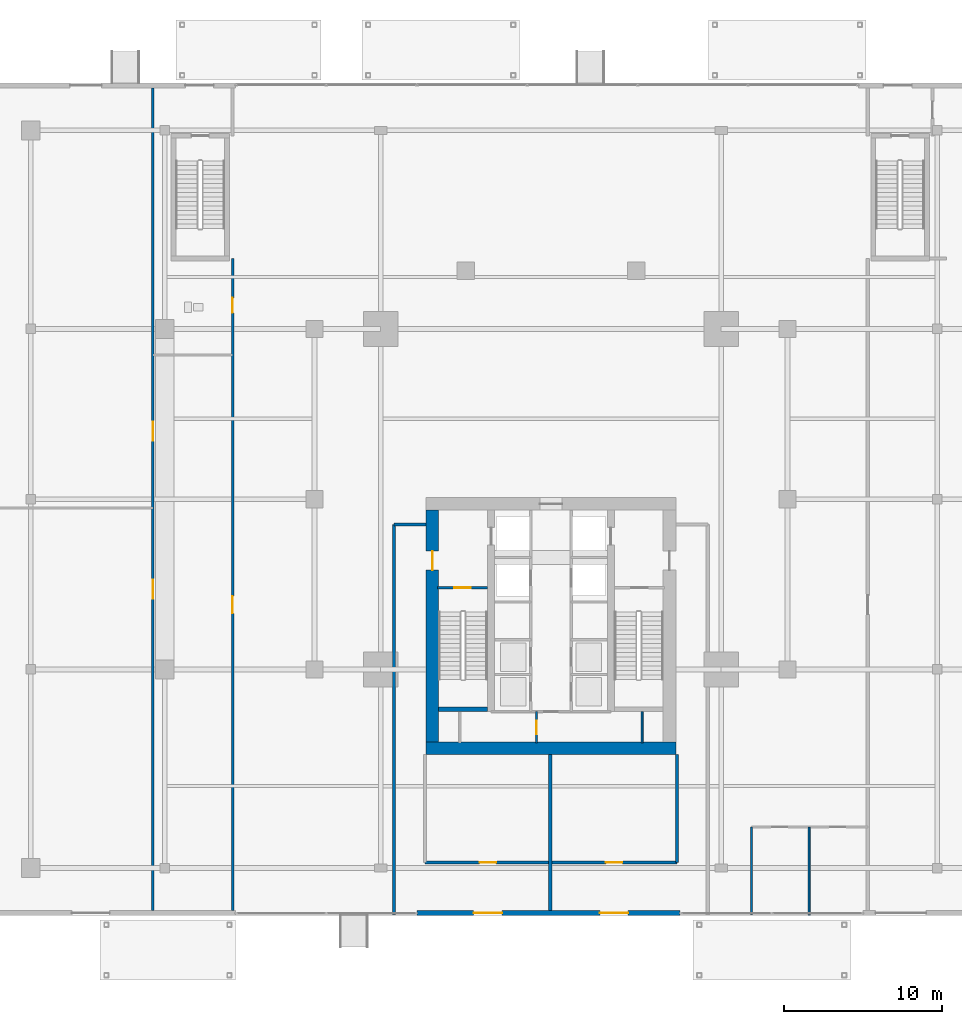
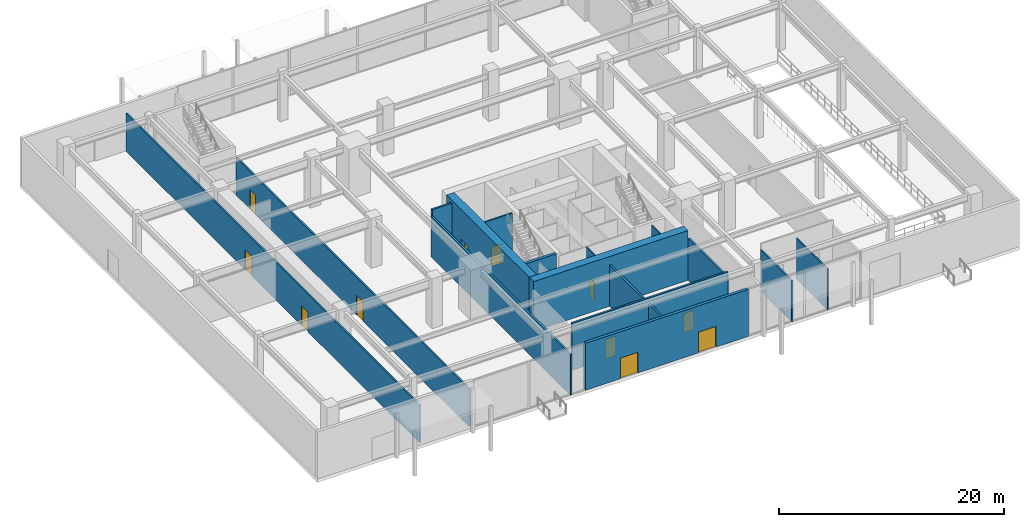
# One storey, part 19 of 28: 16 walls, 11 doors, 11 openings.
"""IFC4 building model written with IfcOpenShell, lengths in metres."""

from ifc_helpers import new_model, si_unit, direction, frame, frame_2d, origin, place, context, subcontext, project, spatial, rectangle, extrude, material, layer, layer_set, type_object, element, fill, save


model = new_model("IFC4")

# Units and contexts
model_context = context("Model", 3, precision=1e-05, world=origin(), true_north=direction((0.0, 1.0)))
body_context = subcontext(model_context, "Body", "Model", "MODEL_VIEW")
ifc_project = project(units=[si_unit("LENGTHUNIT", "METRE"), si_unit("AREAUNIT", "SQUARE_METRE"), si_unit("VOLUMEUNIT", "CUBIC_METRE"), si_unit("PLANEANGLEUNIT", "RADIAN"), si_unit("MASSUNIT", "GRAM", prefix="KILO")], contexts=[model_context])

# Site, building, storey
site_placement = place(None, origin())
site = spatial("IfcSite", under=ifc_project, at=site_placement, CompositionType="ELEMENT")
building_placement = place(site_placement, origin())
building = spatial("IfcBuilding", under=site, at=building_placement, Name="Krantzveldt Concourse Tower", CompositionType="ELEMENT")
storey_placement = place(building_placement, origin())
storey = spatial("IfcBuildingStorey", under=building, at=storey_placement, Name="L00", CompositionType="ELEMENT", Elevation=0.0)

# Wall, openings, doors
ifc_material_1 = material(Name="Concrete C40/50", Category="concrete")
ifc_layer_1 = layer(ifc_material_1, 0.300048828125, Name="Concrete C40/50", Category="concrete")
ifc_layer_set_1 = layer_set([ifc_layer_1], Name="Concrete C40/50 (WL-EXT-GRAN300)")
wall_type_1 = type_object("IfcWallType", Name="WL-EXT-GRAN300", PredefinedType="SOLIDWALL", material=ifc_layer_set_1)
wall_1_placement = place(storey_placement, frame((44.199951171875, 0.449951171875, 0.0), z_axis=(0.0, 0.0, 1.0), x_axis=(-1.0, 0.0, 0.0)))
wall_1 = element("IfcWall", 1, at=wall_1_placement, inside=storey, type_object=wall_type_1, Name="EW-L00-SM", PredefinedType="SOLIDWALL", context=body_context, shape_type="SweptSolid", body=[
    extrude(rectangle(XDim=16.699951171875, YDim=0.300048828125, at=frame_2d((8.35009765625, 0.0))), origin(), (0.0, 0.0, 1.0), 5.10009765625),
])
opening_1_placement = place(wall_1_placement, frame((11.300048828125, 0.0, 0.0)))
opening_1 = element("IfcOpeningElement", 2, at=opening_1_placement, cuts=wall_1, Name="Opening D-EX18", PredefinedType="OPENING", context=body_context, shape_type="SweptSolid", body=[
    extrude(rectangle(XDim=1.800048828125, YDim=2.25, at=frame_2d((0.89990234375, 1.125))), frame((0.0, 0.16015625, 0.0), z_axis=(0.0, -1.0, 0.0), x_axis=(1.0, 0.0, 0.0)), (0.0, 0.0, 1.0), 0.320068359375),
])
opening_2_placement = place(wall_1_placement, frame((3.300048828125, 0.0, 0.0)))
opening_2 = element("IfcOpeningElement", 3, at=opening_2_placement, cuts=wall_1, Name="Opening D-EX18", PredefinedType="OPENING", context=body_context, shape_type="SweptSolid", body=[
    extrude(rectangle(XDim=1.800048828125, YDim=2.25, at=frame_2d((0.89990234375, 1.125))), frame((0.0, 0.16015625, 0.0), z_axis=(0.0, -1.0, 0.0), x_axis=(1.0, 0.0, 0.0)), (0.0, 0.0, 1.0), 0.320068359375),
])
ifc_material_2 = material(Name="Anodised aluminium 6063-T6", Category="aluminium")
door_type_1 = type_object("IfcDoorType", Name="DR-EXIT-1800", OperationType="DOUBLE_DOOR_SINGLE_SWING", PredefinedType="DOOR", material=ifc_material_2)
door_1_placement = place(opening_1_placement, origin())
door_1 = element("IfcDoor", 4, at=door_1_placement, inside=storey, type_object=door_type_1, Name="DR-L00-EXS1", OperationType="DOUBLE_DOOR_SINGLE_SWING", OverallHeight=2.25, OverallWidth=1.800048828125, PredefinedType="DOOR", context=body_context, shape_type="SweptSolid", body=[
    extrude(rectangle(XDim=1.800048828125, YDim=2.25, at=frame_2d((0.89990234375, 1.125))), frame((0.0, 0.02490234375, 0.0), z_axis=(0.0, -1.0, 0.0), x_axis=(1.0, 0.0, 0.0)), (0.0, 0.0, 1.0), 0.050048828125),
])
fill(opening_1, door_1)
door_2_placement = place(opening_2_placement, origin())
door_2 = element("IfcDoor", 5, at=door_2_placement, inside=storey, type_object=door_type_1, Name="DR-L00-EXS4", OperationType="DOUBLE_DOOR_SINGLE_SWING", OverallHeight=2.25, OverallWidth=1.800048828125, PredefinedType="DOOR", context=body_context, shape_type="SweptSolid", body=[
    extrude(rectangle(XDim=1.800048828125, YDim=2.25, at=frame_2d((0.89990234375, 1.125))), frame((0.0, 0.02490234375, 0.0), z_axis=(0.0, -1.0, 0.0), x_axis=(1.0, 0.0, 0.0)), (0.0, 0.0, 1.0), 0.050048828125),
])
fill(opening_2, door_2)

# Wall, opening, door
ifc_material_3 = material(Name="Fire-rated gypsum plasterboard on steel stud", Category="steel")
ifc_layer_2 = layer(ifc_material_3, 0.1201171875, Name="Fire-rated gypsum plasterboard on steel stud", Category="steel")
ifc_layer_set_2 = layer_set([ifc_layer_2], Name="Fire-rated gypsum plasterboard on steel stud (WL-PART-120)")
wall_type_2 = type_object("IfcWallType", Name="WL-PART-120", PredefinedType="PARTITIONING", material=ifc_layer_set_2)
wall_2_placement = place(storey_placement, frame((35.080078125, 11.25, 0.0), z_axis=(0.0, 0.0, 1.0), x_axis=(0.0, 1.0, 0.0)))
wall_2 = element("IfcWall", 6, at=wall_2_placement, inside=storey, type_object=wall_type_2, Name="WP-L00-CSA-V", PredefinedType="PARTITIONING", context=body_context, shape_type="SweptSolid", body=[
    extrude(rectangle(XDim=1.969970703125, YDim=0.1201171875, at=frame_2d((0.98486328125, 0.0))), origin(), (0.0, 0.0, 1.0), 5.10009765625),
])
opening_3_placement = place(wall_2_placement, frame((0.544921875, 0.0, 0.0)))
opening_3 = element("IfcOpeningElement", 7, at=opening_3_placement, cuts=wall_2, Name="Opening D-IN085", PredefinedType="OPENING", context=body_context, shape_type="SweptSolid", body=[
    extrude(rectangle(XDim=0.85009765625, YDim=2.10009765625, at=frame_2d((0.425048828125, 1.050048828125))), frame((0.0, 0.070068359375, 0.0), z_axis=(0.0, -1.0, 0.0), x_axis=(1.0, 0.0, 0.0)), (0.0, 0.0, 1.0), 0.14013671875),
])
ifc_material_4 = material(Name="Hardwood timber", Category="wood")
door_type_2 = type_object("IfcDoorType", Name="DR-INT-850", OperationType="SINGLE_SWING_LEFT", PredefinedType="DOOR", material=ifc_material_4)
door_3_placement = place(opening_3_placement, origin())
door_3 = element("IfcDoor", 8, at=door_3_placement, inside=storey, type_object=door_type_2, Name="DR-L00-CSA1", OperationType="SINGLE_SWING_LEFT", OverallHeight=2.10009765625, OverallWidth=0.85009765625, PredefinedType="DOOR", context=body_context, shape_type="SweptSolid", body=[
    extrude(rectangle(XDim=0.85009765625, YDim=2.10009765625, at=frame_2d((0.425048828125, 1.050048828125))), frame((0.0, 0.02490234375, 0.0), z_axis=(0.0, -1.0, 0.0), x_axis=(1.0, 0.0, 0.0)), (0.0, 0.0, 1.0), 0.050048828125),
])
fill(opening_3, door_3)

# Walls
wall_3_placement = place(storey_placement, frame((52.3798828125, 0.320068359375, 0.0), z_axis=(0.0, 0.0, 1.0), x_axis=(0.0, 1.0, 0.0)))
element("IfcWall", 9, at=wall_3_placement, inside=storey, type_object=wall_type_2, Name="WP-L00-WCD0", PredefinedType="PARTITIONING", context=body_context, shape_type="SweptSolid", body=[
    extrude(rectangle(XDim=5.579833984375, YDim=0.1201171875, at=frame_2d((2.7900390625, 0.0))), origin(), (0.0, 0.0, 1.0), 4.4599609375),
])
ifc_layer_3 = layer(ifc_material_3, 0.139892578125, Name="Fire-rated gypsum plasterboard on steel stud", Category="steel")
ifc_layer_set_3 = layer_set([ifc_layer_3], Name="Fire-rated gypsum plasterboard on steel stud (WL-PART-140)")
wall_type_3 = type_object("IfcWallType", Name="WL-PART-140", PredefinedType="PARTITIONING", material=ifc_layer_set_3)
wall_4_placement = place(storey_placement, frame((48.719970703125, 0.320068359375, 0.0), z_axis=(0.0, 0.0, 1.0), x_axis=(0.0, 1.0, 0.0)))
element("IfcWall", 10, at=wall_4_placement, inside=storey, type_object=wall_type_3, Name="WP-L00-WCW0", PredefinedType="PARTITIONING", context=body_context, shape_type="SweptSolid", body=[
    extrude(rectangle(XDim=5.579833984375, YDim=0.139892578125, at=frame_2d((2.7900390625, 0.0))), origin(), (0.0, 0.0, 1.0), 4.4599609375),
])

# Wall, openings, doors
ifc_layer_4 = layer(ifc_material_3, 0.159912109375, Name="Fire-rated gypsum plasterboard on steel stud", Category="steel")
ifc_layer_set_4 = layer_set([ifc_layer_4], Name="Fire-rated gypsum plasterboard on steel stud (WL-PART-160)")
wall_type_4 = type_object("IfcWallType", Name="WL-PART-160", PredefinedType="PARTITIONING", material=ifc_layer_set_4)
wall_5_placement = place(storey_placement, frame((15.800048828125, 0.60498046875, 0.0), z_axis=(0.0, 0.0, 1.0), x_axis=(0.0, 1.0, 0.0)))
wall_5 = element("IfcWall", 11, at=wall_5_placement, inside=storey, type_object=wall_type_4, Name="WP-L00-W1B", PredefinedType="PARTITIONING", context=body_context, shape_type="SweptSolid", body=[
    extrude(rectangle(XDim=41.364990234375, YDim=0.159912109375, at=frame_2d((20.6826171875, 0.0))), origin(), (0.0, 0.0, 1.0), 4.10009765625),
])
opening_4_placement = place(wall_5_placement, frame((18.844970703125, 0.0, 0.0)))
opening_4 = element("IfcOpeningElement", 12, at=opening_4_placement, cuts=wall_5, Name="Opening D-IN110", PredefinedType="OPENING", context=body_context, shape_type="SweptSolid", body=[
    extrude(rectangle(XDim=1.10009765625, YDim=2.14990234375, at=frame_2d((0.550048828125, 1.074951171875))), frame((0.0, 0.08984375, 0.0), z_axis=(0.0, -1.0, 0.0), x_axis=(1.0, 0.0, 0.0)), (0.0, 0.0, 1.0), 0.179931640625),
])
opening_5_placement = place(wall_5_placement, frame((37.919921875, 0.0, 0.0)))
opening_5 = element("IfcOpeningElement", 13, at=opening_5_placement, cuts=wall_5, Name="Opening D-IN095", PredefinedType="OPENING", context=body_context, shape_type="SweptSolid", body=[
    extrude(rectangle(XDim=0.949951171875, YDim=2.10009765625, at=frame_2d((0.47509765625, 1.050048828125))), frame((0.0, 0.08984375, 0.0), z_axis=(0.0, -1.0, 0.0), x_axis=(1.0, 0.0, 0.0)), (0.0, 0.0, 1.0), 0.179931640625),
])
door_type_3 = type_object("IfcDoorType", Name="DR-INT-1100", OperationType="SINGLE_SWING_LEFT", PredefinedType="DOOR", material=ifc_material_4)
door_4_placement = place(opening_4_placement, origin())
door_4 = element("IfcDoor", 14, at=door_4_placement, inside=storey, type_object=door_type_3, Name="DR-L00-GALW", OperationType="SINGLE_SWING_LEFT", OverallHeight=2.14990234375, OverallWidth=1.10009765625, PredefinedType="DOOR", context=body_context, shape_type="SweptSolid", body=[
    extrude(rectangle(XDim=1.10009765625, YDim=2.14990234375, at=frame_2d((0.550048828125, 1.074951171875))), frame((0.0, 0.02490234375, 0.0), z_axis=(0.0, -1.0, 0.0), x_axis=(1.0, 0.0, 0.0)), (0.0, 0.0, 1.0), 0.050048828125),
])
fill(opening_4, door_4)
door_type_4 = type_object("IfcDoorType", Name="DR-INT-950", OperationType="SINGLE_SWING_LEFT", PredefinedType="DOOR", material=ifc_material_4)
door_5_placement = place(opening_5_placement, origin())
door_5 = element("IfcDoor", 15, at=door_5_placement, inside=storey, type_object=door_type_4, Name="DR-L00-WCA", OperationType="SINGLE_SWING_RIGHT", OverallHeight=2.10009765625, OverallWidth=0.949951171875, PredefinedType="DOOR", context=body_context, shape_type="SweptSolid", body=[
    extrude(rectangle(XDim=0.949951171875, YDim=2.10009765625, at=frame_2d((0.47509765625, 1.050048828125))), frame((0.0, 0.02490234375, 0.0), z_axis=(0.0, -1.0, 0.0), x_axis=(1.0, 0.0, 0.0)), (0.0, 0.0, 1.0), 0.050048828125),
])
fill(opening_5, door_5)

# Wall
ifc_layer_5 = layer(ifc_material_3, 0.139892578125, Name="Fire-rated gypsum plasterboard on steel stud", Category="steel")
ifc_layer_set_5 = layer_set([ifc_layer_5], Name="Fire-rated gypsum plasterboard on steel stud (WL-PART-FR140)")
wall_type_5 = type_object("IfcWallType", Name="WL-PART-FR140", PredefinedType="PARTITIONING", material=ifc_layer_set_5)
wall_6_placement = place(storey_placement, frame((41.780029296875, 11.25, 0.0), z_axis=(0.0, 0.0, 1.0), x_axis=(0.0, 1.0, 0.0)))
element("IfcWall", 16, at=wall_6_placement, inside=storey, type_object=wall_type_5, Name="WP-L00-RSE", PredefinedType="PARTITIONING", context=body_context, shape_type="SweptSolid", body=[
    extrude(rectangle(XDim=1.969970703125, YDim=0.1201171875, at=frame_2d((0.98486328125, 0.0))), origin(), (0.0, 0.0, 1.0), 5.10009765625),
])

# Wall, opening, door
ifc_layer_6 = layer(ifc_material_3, 0.159912109375, Name="Fire-rated gypsum plasterboard on steel stud", Category="steel")
ifc_layer_set_6 = layer_set([ifc_layer_6], Name="Fire-rated gypsum plasterboard on steel stud (WL-PART-FR160)")
wall_type_6 = type_object("IfcWallType", Name="WL-PART-FR160", PredefinedType="PARTITIONING", material=ifc_layer_set_6)
wall_7_placement = place(storey_placement, frame((28.800048828125, 21.080078125, 0.0), z_axis=(0.0, 0.0, 1.0), x_axis=(1.0, 0.0, 0.0)))
wall_7 = element("IfcWall", 17, at=wall_7_placement, inside=storey, type_object=wall_type_6, Name="WP-L00-ST1", PredefinedType="PARTITIONING", context=body_context, shape_type="SweptSolid", body=[
    extrude(rectangle(XDim=3.159912109375, YDim=0.159912109375, at=frame_2d((1.580078125, 0.0))), origin(), (0.0, 0.0, 1.0), 5.10009765625),
])
opening_6_placement = place(wall_7_placement, frame((1.054931640625, 0.0, 0.0)))
opening_6 = element("IfcOpeningElement", 18, at=opening_6_placement, cuts=wall_7, Name="Opening D-FD105", PredefinedType="OPENING", context=body_context, shape_type="SweptSolid", body=[
    extrude(rectangle(XDim=1.050048828125, YDim=2.10009765625, at=frame_2d((0.52490234375, 1.050048828125))), frame((0.0, 0.08984375, 0.0), z_axis=(0.0, -1.0, 0.0), x_axis=(1.0, 0.0, 0.0)), (0.0, 0.0, 1.0), 0.179931640625),
])
ifc_material_5 = material(Name="Galvanised steel", Category="steel")
door_type_5 = type_object("IfcDoorType", Name="DR-FD120-1050", OperationType="SINGLE_SWING_LEFT", PredefinedType="DOOR", material=ifc_material_5)
door_6_placement = place(opening_6_placement, origin())
door_6 = element("IfcDoor", 19, at=door_6_placement, inside=storey, type_object=door_type_5, Name="DR-L00-ST1", OperationType="SINGLE_SWING_RIGHT", OverallHeight=2.10009765625, OverallWidth=1.050048828125, PredefinedType="DOOR", context=body_context, shape_type="SweptSolid", body=[
    extrude(rectangle(XDim=1.050048828125, YDim=2.10009765625, at=frame_2d((0.52490234375, 1.050048828125))), frame((0.0, 0.02490234375, 0.0), z_axis=(0.0, -1.0, 0.0), x_axis=(1.0, 0.0, 0.0)), (0.0, 0.0, 1.0), 0.050048828125),
])
fill(opening_6, door_6)

# Wall, openings, doors
wall_8_placement = place(storey_placement, frame((10.75, 0.60498046875, 0.0), z_axis=(0.0, 0.0, 1.0), x_axis=(0.0, 1.0, 0.0)))
wall_8 = element("IfcWall", 20, at=wall_8_placement, inside=storey, type_object=wall_type_6, Name="WP-L00-W1", PredefinedType="PARTITIONING", context=body_context, shape_type="SweptSolid", body=[
    extrude(rectangle(XDim=52.18994140625, YDim=0.159912109375, at=frame_2d((26.094970703125, 0.0))), origin(), (0.0, 0.0, 1.0), 4.10009765625),
])
opening_7_placement = place(wall_8_placement, frame((19.794921875, 0.0, 0.0)))
opening_7 = element("IfcOpeningElement", 21, at=opening_7_placement, cuts=wall_8, Name="Opening D-DB120", PredefinedType="OPENING", context=body_context, shape_type="SweptSolid", body=[
    extrude(rectangle(XDim=1.199951171875, YDim=2.14990234375, at=frame_2d((0.60009765625, 1.074951171875))), frame((0.0, 0.08984375, 0.0), z_axis=(0.0, -1.0, 0.0), x_axis=(1.0, 0.0, 0.0)), (0.0, 0.0, 1.0), 0.179931640625),
])
opening_8_placement = place(wall_8_placement, frame((29.794921875, 0.0, 0.0)))
opening_8 = element("IfcOpeningElement", 22, at=opening_8_placement, cuts=wall_8, Name="Opening D-DB120", PredefinedType="OPENING", context=body_context, shape_type="SweptSolid", body=[
    extrude(rectangle(XDim=1.199951171875, YDim=2.14990234375, at=frame_2d((0.60009765625, 1.074951171875))), frame((0.0, 0.08984375, 0.0), z_axis=(0.0, -1.0, 0.0), x_axis=(1.0, 0.0, 0.0)), (0.0, 0.0, 1.0), 0.179931640625),
])
door_type_6 = type_object("IfcDoorType", Name="DR-DBL-1200", OperationType="SINGLE_SWING_LEFT", PredefinedType="DOOR", material=ifc_material_2)
door_7_placement = place(opening_7_placement, origin())
door_7 = element("IfcDoor", 23, at=door_7_placement, inside=storey, type_object=door_type_6, Name="DR-L00-CAFE", OperationType="SINGLE_SWING_LEFT", OverallHeight=2.14990234375, OverallWidth=1.199951171875, PredefinedType="DOOR", context=body_context, shape_type="SweptSolid", body=[
    extrude(rectangle(XDim=1.199951171875, YDim=2.14990234375, at=frame_2d((0.60009765625, 1.074951171875))), frame((0.0, 0.02490234375, 0.0), z_axis=(0.0, -1.0, 0.0), x_axis=(1.0, 0.0, 0.0)), (0.0, 0.0, 1.0), 0.050048828125),
])
fill(opening_7, door_7)
door_8_placement = place(opening_8_placement, origin())
door_8 = element("IfcDoor", 24, at=door_8_placement, inside=storey, type_object=door_type_6, Name="DR-L00-RET", OperationType="SINGLE_SWING_RIGHT", OverallHeight=2.14990234375, OverallWidth=1.199951171875, PredefinedType="DOOR", context=body_context, shape_type="SweptSolid", body=[
    extrude(rectangle(XDim=1.199951171875, YDim=2.14990234375, at=frame_2d((0.60009765625, 1.074951171875))), frame((0.0, 0.02490234375, 0.0), z_axis=(0.0, -1.0, 0.0), x_axis=(1.0, 0.0, 0.0)), (0.0, 0.0, 1.0), 0.050048828125),
])
fill(opening_8, door_8)

# Walls
ifc_layer_7 = layer(ifc_material_3, 0.199951171875, Name="Fire-rated gypsum plasterboard on steel stud", Category="steel")
ifc_layer_set_7 = layer_set([ifc_layer_7], Name="Fire-rated gypsum plasterboard on steel stud (WL-PART-FR200)")
wall_type_7 = type_object("IfcWallType", Name="WL-PART-FR200", PredefinedType="PARTITIONING", material=ifc_layer_set_7)
wall_9_placement = place(storey_placement, frame((26.050048828125, 0.320068359375, 0.0), z_axis=(0.0, 0.0, 1.0), x_axis=(0.0, 1.0, 0.0)))
element("IfcWall", 25, at=wall_9_placement, inside=storey, type_object=wall_type_7, Name="WP-L00-EX1W", PredefinedType="PARTITIONING", context=body_context, shape_type="SweptSolid", body=[
    extrude(rectangle(XDim=24.780029296875, YDim=0.199951171875, at=frame_2d((12.39013671875, 0.0))), origin(), (0.0, 0.0, 1.0), 4.39990234375),
])
wall_10_placement = place(storey_placement, frame((26.050048828125, 25.10009765625, 0.0), z_axis=(0.0, 0.0, 1.0), x_axis=(1.0, 0.0, 0.0)))
element("IfcWall", 26, at=wall_10_placement, inside=storey, type_object=wall_type_7, Name="WP-L00-EX1N", PredefinedType="PARTITIONING", context=body_context, shape_type="SweptSolid", body=[
    extrude(rectangle(XDim=2.030029296875, YDim=0.199951171875, at=frame_2d((1.01513671875, 0.0))), origin(), (0.0, 0.0, 1.0), 5.10009765625),
])
wall_11_placement = place(storey_placement, frame((35.949951171875, 0.60498046875, 0.0), z_axis=(0.0, 0.0, 1.0), x_axis=(0.0, 1.0, 0.0)))
element("IfcWall", 27, at=wall_11_placement, inside=storey, type_object=wall_type_7, Name="WP-L00-EXDIV", PredefinedType="PARTITIONING", context=body_context, shape_type="SweptSolid", body=[
    extrude(rectangle(XDim=9.89501953125, YDim=0.199951171875, at=frame_2d((4.947509765625, 0.0))), origin(), (0.0, 0.0, 1.0), 4.4599609375),
])

# Wall, openings, doors
wall_12_placement = place(storey_placement, frame((28.0, 3.64990234375, 0.0), z_axis=(0.0, 0.0, 1.0), x_axis=(1.0, 0.0, 0.0)))
wall_12 = element("IfcWall", 28, at=wall_12_placement, inside=storey, type_object=wall_type_7, Name="WP-L00-FCS", PredefinedType="PARTITIONING", context=body_context, shape_type="SweptSolid", body=[
    extrude(rectangle(XDim=16.0, YDim=0.199951171875, at=frame_2d((8.0, 0.0))), origin(), (0.0, 0.0, 1.0), 5.10009765625),
])
opening_9_placement = place(wall_12_placement, frame((3.47509765625, 0.0, 0.0)))
opening_9 = element("IfcOpeningElement", 29, at=opening_9_placement, cuts=wall_12, Name="Opening D-FD105", PredefinedType="OPENING", context=body_context, shape_type="SweptSolid", body=[
    extrude(rectangle(XDim=1.050048828125, YDim=2.10009765625, at=frame_2d((0.52490234375, 1.050048828125))), frame((0.0, 0.10986328125, 0.0), z_axis=(0.0, -1.0, 0.0), x_axis=(1.0, 0.0, 0.0)), (0.0, 0.0, 1.0), 0.219970703125),
])
opening_10_placement = place(wall_12_placement, frame((11.47509765625, 0.0, 0.0)))
opening_10 = element("IfcOpeningElement", 30, at=opening_10_placement, cuts=wall_12, Name="Opening D-FD105", PredefinedType="OPENING", context=body_context, shape_type="SweptSolid", body=[
    extrude(rectangle(XDim=1.050048828125, YDim=2.10009765625, at=frame_2d((0.52490234375, 1.050048828125))), frame((0.0, 0.10986328125, 0.0), z_axis=(0.0, -1.0, 0.0), x_axis=(1.0, 0.0, 0.0)), (0.0, 0.0, 1.0), 0.219970703125),
])
door_9_placement = place(opening_9_placement, origin())
door_9 = element("IfcDoor", 31, at=door_9_placement, inside=storey, type_object=door_type_5, Name="DR-L00-FCC", OperationType="SINGLE_SWING_RIGHT", OverallHeight=2.10009765625, OverallWidth=1.050048828125, PredefinedType="DOOR", context=body_context, shape_type="SweptSolid", body=[
    extrude(rectangle(XDim=1.050048828125, YDim=2.10009765625, at=frame_2d((0.52490234375, 1.050048828125))), frame((0.0, 0.02490234375, 0.0), z_axis=(0.0, -1.0, 0.0), x_axis=(1.0, 0.0, 0.0)), (0.0, 0.0, 1.0), 0.050048828125),
])
fill(opening_9, door_9)
door_10_placement = place(opening_10_placement, origin())
door_10 = element("IfcDoor", 32, at=door_10_placement, inside=storey, type_object=door_type_5, Name="DR-L00-BMS0", OperationType="SINGLE_SWING_LEFT", OverallHeight=2.10009765625, OverallWidth=1.050048828125, PredefinedType="DOOR", context=body_context, shape_type="SweptSolid", body=[
    extrude(rectangle(XDim=1.050048828125, YDim=2.10009765625, at=frame_2d((0.52490234375, 1.050048828125))), frame((0.0, 0.02490234375, 0.0), z_axis=(0.0, -1.0, 0.0), x_axis=(1.0, 0.0, 0.0)), (0.0, 0.0, 1.0), 0.050048828125),
])
fill(opening_10, door_10)

# Walls
wall_13_placement = place(storey_placement, frame((44.0, 3.64990234375, 0.0), z_axis=(0.0, 0.0, 1.0), x_axis=(0.0, 1.0, 0.0)))
element("IfcWall", 33, at=wall_13_placement, inside=storey, type_object=wall_type_7, Name="WP-L00-FCE", PredefinedType="PARTITIONING", context=body_context, shape_type="SweptSolid", body=[
    extrude(rectangle(XDim=6.85009765625, YDim=0.199951171875, at=frame_2d((3.425048828125, 0.0))), origin(), (0.0, 0.0, 1.0), 4.550048828125),
])
ifc_material_6 = material(Name="Concrete C50/60", Category="concrete")
ifc_layer_8 = layer(ifc_material_6, 0.300048828125, Name="Concrete C50/60", Category="concrete")
ifc_layer_set_8 = layer_set([ifc_layer_8], Name="Concrete C50/60 (WL-SHEAR-300)")
wall_type_8 = type_object("IfcWallType", Name="WL-SHEAR-300", PredefinedType="SHEAR", material=ifc_layer_set_8)
wall_14_placement = place(storey_placement, frame((28.8798828125, 13.3701171875, 0.0), z_axis=(0.0, 0.0, 1.0), x_axis=(1.0, 0.0, 0.0)))
element("IfcWall", 34, at=wall_14_placement, inside=storey, type_object=wall_type_8, Name="CW-L00-ST1S", PredefinedType="SHEAR", context=body_context, shape_type="SweptSolid", body=[
    extrude(rectangle(XDim=3.10009765625, YDim=0.300048828125, at=frame_2d((1.550048828125, 0.0))), origin(), (0.0, 0.0, 1.0), 5.39990234375),
])
ifc_material_7 = material(Name="Concrete C60/75", Category="concrete")
ifc_layer_9 = layer(ifc_material_7, 0.800048828125, Name="Concrete C60/75", Category="concrete")
ifc_layer_set_9 = layer_set([ifc_layer_9], Name="Concrete C60/75 (WL-SHEAR-800)")
wall_type_9 = type_object("IfcWallType", Name="WL-SHEAR-800", PredefinedType="SHEAR", material=ifc_layer_set_9)
wall_15_placement = place(storey_placement, frame((28.080078125, 10.89990234375, 0.0), z_axis=(0.0, 0.0, 1.0), x_axis=(1.0, 0.0, 0.0)))
element("IfcWall", 35, at=wall_15_placement, inside=storey, type_object=wall_type_9, Name="CW-L00-S", PredefinedType="SHEAR", context=body_context, shape_type="SweptSolid", body=[
    extrude(rectangle(XDim=15.83984375, YDim=0.800048828125, at=frame_2d((7.919921875, 0.0))), origin(), (0.0, 0.0, 1.0), 5.39990234375),
])

# Wall, opening, door
wall_16_placement = place(storey_placement, frame((28.47998046875, 11.300048828125, 0.0), z_axis=(0.0, 0.0, 1.0), x_axis=(0.0, 1.0, 0.0)))
wall_16 = element("IfcWall", 36, at=wall_16_placement, inside=storey, type_object=wall_type_9, Name="CW-L00-W", PredefinedType="SHEAR", context=body_context, shape_type="SweptSolid", body=[
    extrude(rectangle(XDim=14.699951171875, YDim=0.800048828125, at=frame_2d((7.35009765625, 0.0))), origin(), (0.0, 0.0, 1.0), 5.39990234375),
])
opening_11_placement = place(wall_16_placement, frame((10.89990234375, 0.0, 0.0)))
opening_11 = element("IfcOpeningElement", 37, at=opening_11_placement, cuts=wall_16, Name="Opening D-FD120", PredefinedType="OPENING", context=body_context, shape_type="SweptSolid", body=[
    extrude(rectangle(XDim=1.199951171875, YDim=2.14990234375, at=frame_2d((0.60009765625, 1.074951171875))), frame((0.0, 0.41015625, 0.0), z_axis=(0.0, -1.0, 0.0), x_axis=(1.0, 0.0, 0.0)), (0.0, 0.0, 1.0), 0.820068359375),
])
door_type_7 = type_object("IfcDoorType", Name="DR-FD120-1200", OperationType="SINGLE_SWING_LEFT", PredefinedType="DOOR", material=ifc_material_5)
door_11_placement = place(opening_11_placement, origin())
door_11 = element("IfcDoor", 38, at=door_11_placement, inside=storey, type_object=door_type_7, Name="DR-L00-ST1EX", OperationType="SINGLE_SWING_LEFT", OverallHeight=2.14990234375, OverallWidth=1.199951171875, PredefinedType="DOOR", context=body_context, shape_type="SweptSolid", body=[
    extrude(rectangle(XDim=1.199951171875, YDim=2.14990234375, at=frame_2d((0.60009765625, 1.074951171875))), frame((0.0, 0.02490234375, 0.0), z_axis=(0.0, -1.0, 0.0), x_axis=(1.0, 0.0, 0.0)), (0.0, 0.0, 1.0), 0.050048828125),
])
fill(opening_11, door_11)

save(model, "model.ifc")
